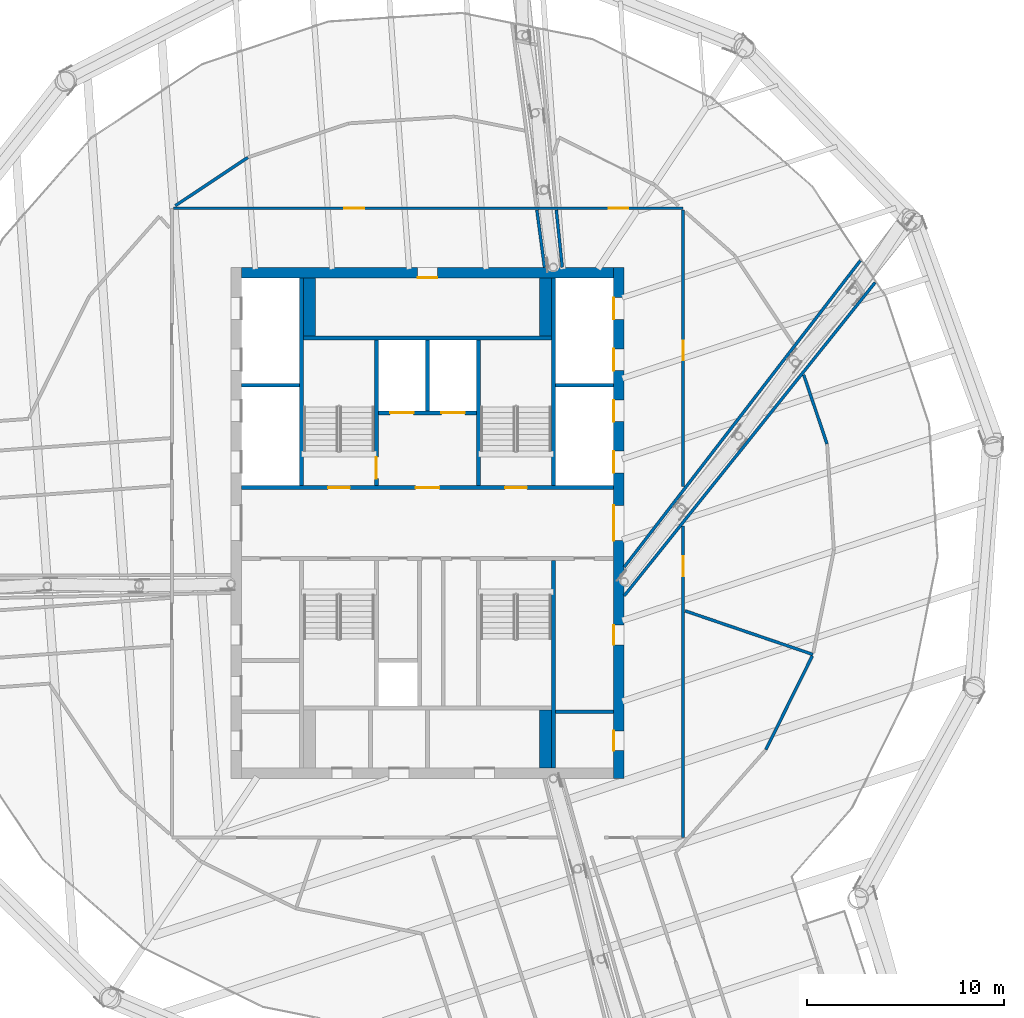
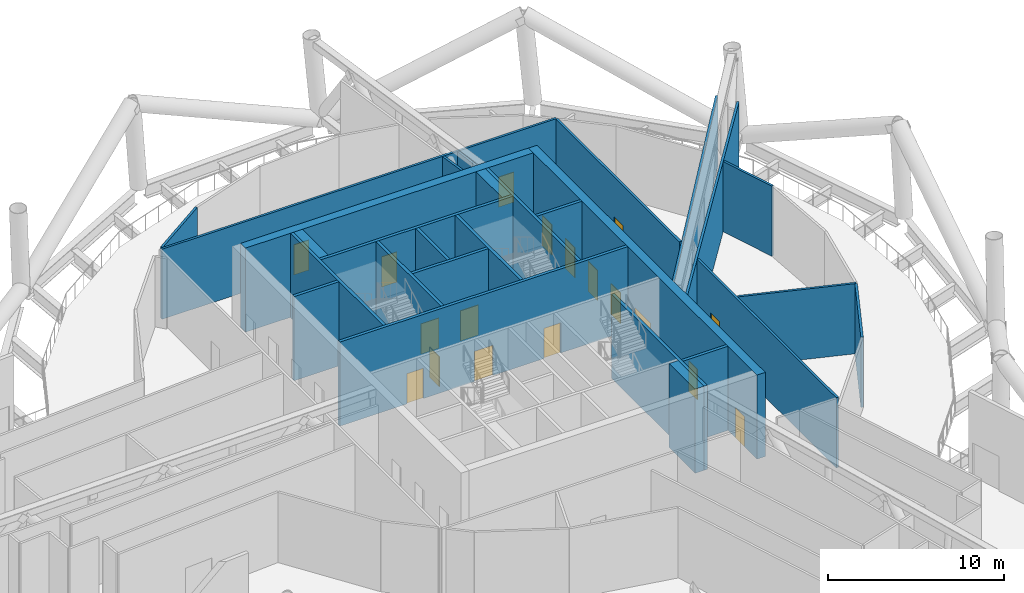
# One storey, part 12 of 33: 28 walls, 18 doors, 18 openings.
"""IFC4 building model written with IfcOpenShell, lengths in metres."""

import ifcopenshell
import ifcopenshell.guid

model = None  # the IFC model being written
_history = None  # IfcOwnerHistory: only IFC2X3 demands one
_inside = {}  # id of a spatial element -> (the spatial element, [elements in it])
_under = {}  # id of a project, library or spatial element -> (it, [spatial elements below it])
_declared = {}  # id of a project -> (the project, [libraries it declares])
_typed = {}  # id of a type object -> (the type object, [elements of that type])
_made_of = {}  # id of a material, layer set ... -> (it, [elements and type objects made of it])


def new_model(schema):
    """Start an empty IFC model of exactly this schema.

    Asked for "IFC4X3", IfcOpenShell would pick the latest addendum, in which some entities
    have other attributes; the version numbers below select the first issue.
    IFC2X3 requires an IfcOwnerHistory on every rooted entity: one is made here for all.
    """
    global model, _history
    if schema == "IFC4X3":
        model = ifcopenshell.file(schema_version=(4, 3, 0, 0))
    else:
        model = ifcopenshell.file(schema=schema)
    _inside.clear()
    _under.clear()
    _declared.clear()
    _typed.clear()
    _made_of.clear()
    _history = None
    if model.schema == "IFC2X3":
        org = make("IfcOrganization", Name="unknown")
        user = make(
            "IfcPersonAndOrganization",
            ThePerson=make("IfcPerson", FamilyName="unknown"),
            TheOrganization=org,
        )
        app = make(
            "IfcApplication",
            ApplicationDeveloper=org,
            Version="unknown",
            ApplicationFullName="unknown",
            ApplicationIdentifier="unknown",
        )
        _history = make(
            "IfcOwnerHistory",
            OwningUser=user,
            OwningApplication=app,
            ChangeAction="ADDED",
            CreationDate=0,
        )
    return model


def make(cls, **values):
    """One entity of the class cls with the attributes given. An attribute that is None is left unset."""
    return model.create_entity(
        cls, **{name: value for name, value in values.items() if value is not None}
    )


def rooted(cls, **values):
    """An entity with a GlobalId (a new one), such as an element, a storey or a relation."""
    return make(cls, GlobalId=ifcopenshell.guid.new(), OwnerHistory=_history, **values)


def si_unit(unit_type, name, prefix=None):
    """IfcSIUnit, for example si_unit("LENGTHUNIT", "METRE", prefix="MILLI")."""
    return make("IfcSIUnit", UnitType=unit_type, Prefix=prefix, Name=name)


def assignment(units):
    """IfcUnitAssignment: the units of a project."""
    return None if units is None else make("IfcUnitAssignment", Units=units)


def point(xyz):
    """IfcCartesianPoint."""
    return None if xyz is None else make("IfcCartesianPoint", Coordinates=xyz)


def direction(xyz):
    """IfcDirection."""
    return None if xyz is None else make("IfcDirection", DirectionRatios=xyz)


def frame(location, z_axis=None, x_axis=None):
    """IfcAxis2Placement3D, a coordinate frame: its origin and axes. An axis left out is left unset."""
    return make(
        "IfcAxis2Placement3D",
        Location=point(location),
        Axis=direction(z_axis),
        RefDirection=direction(x_axis),
    )


def frame_2d(location, x_axis=None):
    """IfcAxis2Placement2D, a coordinate frame in the plane: its origin and x axis."""
    return make(
        "IfcAxis2Placement2D", Location=point(location), RefDirection=direction(x_axis)
    )


def origin():
    """The frame at (0, 0, 0) with its axes left unset."""
    return frame((0.0, 0.0, 0.0))


def place(relative_to, where):
    """IfcLocalPlacement: puts the frame where relative to a parent placement (None: the world)."""
    return make(
        "IfcLocalPlacement", PlacementRelTo=relative_to, RelativePlacement=where
    )


def context(
    kind, dimensions, precision=None, world=None, true_north=None, identifier=None
):
    """IfcGeometricRepresentationContext, for example the 3D "Model" context."""
    return make(
        "IfcGeometricRepresentationContext",
        ContextIdentifier=identifier,
        ContextType=kind,
        CoordinateSpaceDimension=dimensions,
        Precision=precision,
        WorldCoordinateSystem=world,
        TrueNorth=true_north,
    )


def subcontext(parent, identifier, kind, view, scale=None):
    """IfcGeometricRepresentationSubContext, for example "Body" below "Model"."""
    return make(
        "IfcGeometricRepresentationSubContext",
        ContextIdentifier=identifier,
        ContextType=kind,
        ParentContext=parent,
        TargetScale=scale,
        TargetView=view,
    )


def project(units=None, contexts=None):
    """IfcProject with its units and contexts."""
    return rooted(
        "IfcProject",
        Name="project",
        RepresentationContexts=contexts,
        UnitsInContext=assignment(units),
    )


def spatial(cls, under=None, at=None, **own):
    """A site, building, storey or space (cls), placed at a placement, below another one or the project."""
    s = rooted(cls, ObjectPlacement=at, **own)
    if under is not None:
        _under.setdefault(under.id(), (under, []))[1].append(s)
    return s


def profile(cls, at=None, kind="AREA", **sizes):
    """A parametric profile (cls). Its sizes go by their IFC names, for example OverallWidth=200.0."""
    return make(cls, ProfileType=kind, Position=at, **sizes)


def rectangle(**sizes):
    """IfcRectangleProfileDef."""
    return profile("IfcRectangleProfileDef", **sizes)


def extrude(swept, where, along, depth):
    """IfcExtrudedAreaSolid: the profile swept, set in the frame where, extruded along a direction by depth."""
    return make(
        "IfcExtrudedAreaSolid",
        SweptArea=swept,
        Position=where,
        ExtrudedDirection=direction(along),
        Depth=depth,
    )


def shape(context_of_items, identifier, shape_type, items):
    """IfcShapeRepresentation: the items that make up one representation, for example the "Body"."""
    return make(
        "IfcShapeRepresentation",
        ContextOfItems=context_of_items,
        RepresentationIdentifier=identifier,
        RepresentationType=shape_type,
        Items=items,
    )


def material(Name=None, Category=None):
    """IfcMaterial."""
    return make("IfcMaterial", Name=Name, Category=Category)


def layer(
    of_material, thickness, ventilated=None, Name=None, Category=None, Priority=None
):
    """IfcMaterialLayer: one layer of a wall or slab, of a material (None: an air gap)."""
    return make(
        "IfcMaterialLayer",
        Material=of_material,
        LayerThickness=thickness,
        IsVentilated=ventilated,
        Name=Name,
        Category=Category,
        Priority=Priority,
    )


def layer_set(layers, Name=None):
    """IfcMaterialLayerSet."""
    return make("IfcMaterialLayerSet", MaterialLayers=layers, LayerSetName=Name)


def made_of(thing, what):
    """Note that an element or type object is made of a material, layer set ...; save() writes the relation."""
    if what is not None:
        _made_of.setdefault(what.id(), (what, []))[1].append(thing)
    return thing


def type_object(cls, material=None, **own):
    """A type object (cls), such as IfcWallType, which elements share."""
    return made_of(rooted(cls, **own), material)


def element(
    cls,
    number,
    at=None,
    inside=None,
    cuts=None,
    type_object=None,
    material=None,
    context=None,
    identifier="Body",
    shape_type=None,
    held_by="IfcProductDefinitionShape",
    body=None,
    shapes=None,
    **own,
):
    """One element of the class cls, such as IfcWall. Its Tag is "e" and its number.

    at: its placement. inside: the storey or other place that contains it. cuts: it is an
    opening in that element (IfcRelVoidsElement). A single representation is given by context,
    identifier, shape_type and body (its items); several are given by shapes. held_by: the class
    of the entity that holds the representations. save() writes the other relations.
    """
    e = rooted(cls, Tag="e%d" % number, ObjectPlacement=at, **own)
    if body is not None:
        shapes = [shape(context, identifier, shape_type, body)]
    if shapes is not None:
        e.Representation = make(held_by, Representations=shapes)
    if inside is not None:
        _inside.setdefault(inside.id(), (inside, []))[1].append(e)
    if cuts is not None:
        rooted(
            "IfcRelVoidsElement", RelatingBuildingElement=cuts, RelatedOpeningElement=e
        )
    if type_object is not None:
        _typed.setdefault(type_object.id(), (type_object, []))[1].append(e)
    return made_of(e, material)


def fill(opening, filler):
    """IfcRelFillsElement: the door or window that sits in an opening."""
    return rooted(
        "IfcRelFillsElement",
        RelatingOpeningElement=opening,
        RelatedBuildingElement=filler,
    )


def aggregate(whole, parts):
    """IfcRelAggregates: a whole, such as a stair, and the parts it consists of."""
    return rooted("IfcRelAggregates", RelatingObject=whole, RelatedObjects=parts)


def save(model, path):
    """Write the relations noted so far, then the file.

    IfcRelAggregates (storeys below a building ...), IfcRelContainedInSpatialStructure (elements
    in a storey), IfcRelDefinesByType, IfcRelAssociatesMaterial and IfcRelDeclares: one each for
    every whole, place, type object, material and project.
    """
    for whole, parts in _under.values():
        aggregate(whole, parts)
    for where, things in _inside.values():
        rooted(
            "IfcRelContainedInSpatialStructure",
            RelatedElements=things,
            RelatingStructure=where,
        )
    for kind, things in _typed.values():
        rooted("IfcRelDefinesByType", RelatedObjects=things, RelatingType=kind)
    for what, things in _made_of.values():
        rooted("IfcRelAssociatesMaterial", RelatedObjects=things, RelatingMaterial=what)
    for by, libraries in _declared.values():
        rooted("IfcRelDeclares", RelatingContext=by, RelatedDefinitions=libraries)
    model.write(path)


model = new_model("IFC4")

# Units and contexts
model_context = context("Model", 3, precision=1e-05, world=origin(), true_north=direction((0.0, 1.0)))
body_context = subcontext(model_context, "Body", "Model", "MODEL_VIEW")
ifc_project = project(units=[si_unit("LENGTHUNIT", "METRE"), si_unit("AREAUNIT", "SQUARE_METRE"), si_unit("VOLUMEUNIT", "CUBIC_METRE"), si_unit("PLANEANGLEUNIT", "RADIAN"), si_unit("MASSUNIT", "GRAM", prefix="KILO")], contexts=[model_context])

# Site, building, storey
site_placement = place(None, origin())
site = spatial("IfcSite", under=ifc_project, at=site_placement, CompositionType="ELEMENT")
building_placement = place(site_placement, origin())
building = spatial("IfcBuilding", under=site, at=building_placement, Name="Tarsis Ring Headquarters", CompositionType="ELEMENT")
storey_placement = place(building_placement, frame((0.0, 0.0, 302.0)))
storey = spatial("IfcBuildingStorey", under=building, at=storey_placement, Name="L71", CompositionType="ELEMENT", Elevation=302.0)

# Wall
ifc_material_1 = material(Name="Blockwork", Category="masonry")
ifc_layer_1 = layer(ifc_material_1, 0.199951171875)
ifc_layer_set_1 = layer_set([ifc_layer_1], Name="Core blockwork wall 200")
wall_type_1 = type_object("IfcWallType", Name="Core blockwork wall 200", PredefinedType="PARTITIONING", material=ifc_layer_set_1)
wall_1_placement = place(storey_placement, frame((6.5, -9.60009765625, 0.0), z_axis=(0.0, 0.0, 1.0), x_axis=(1.0, 0.0, 0.0)))
element("IfcWall", 1, at=wall_1_placement, inside=storey, type_object=wall_type_1, Name="Core partition ED1", PredefinedType="PARTITIONING", context=body_context, shape_type="SweptSolid", body=[
    extrude(rectangle(XDim=2.949951171875, YDim=0.199951171875, at=frame_2d((1.47509765625, 0.0))), origin(), (0.0, 0.0, 1.0), 5.840087890625),
])

# Wall, openings, doors
ifc_material_2 = material(Name="Concrete C50/60", Category="concrete")
ifc_layer_2 = layer(ifc_material_2, 0.550048828125)
ifc_layer_set_2 = layer_set([ifc_layer_2], Name="Core wall 550 C50/60")
wall_type_2 = type_object("IfcWallType", Name="Core wall 550 C50/60", PredefinedType="SHEAR", material=ifc_layer_set_2)
wall_2_placement = place(storey_placement, frame((9.72509765625, -13.0, 0.0), z_axis=(0.0, 0.0, 1.0), x_axis=(0.0, 1.0, 0.0)))
wall_2 = element("IfcWall", 2, at=wall_2_placement, inside=storey, type_object=wall_type_2, Name="Core wall OE", PredefinedType="SHEAR", context=body_context, shape_type="SweptSolid", body=[
    extrude(rectangle(XDim=26.0, YDim=0.550048828125, at=frame_2d((13.0, 0.0))), origin(), (0.0, 0.0, 1.0), 5.840087890625),
])
opening_1_placement = place(wall_2_placement, frame((1.425048828125, 0.0, 0.0)))
opening_1 = element("IfcOpeningElement", 3, at=opening_1_placement, cuts=wall_2, Name="Opening L71-C09", PredefinedType="OPENING", context=body_context, shape_type="SweptSolid", body=[
    extrude(rectangle(XDim=1.0, YDim=2.10009765625, at=frame_2d((0.5, 1.050048828125))), frame((0.0, 0.284912109375, 0.0), z_axis=(0.0, -1.0, 0.0), x_axis=(1.0, 0.0, 0.0)), (0.0, 0.0, 1.0), 0.570068359375),
])
opening_2_placement = place(wall_2_placement, frame((6.800048828125, 0.0, 0.0)))
opening_2 = element("IfcOpeningElement", 4, at=opening_2_placement, cuts=wall_2, Name="Opening L71-C10", PredefinedType="OPENING", context=body_context, shape_type="SweptSolid", body=[
    extrude(rectangle(XDim=1.0, YDim=2.10009765625, at=frame_2d((0.5, 1.050048828125))), frame((0.0, 0.284912109375, 0.0), z_axis=(0.0, -1.0, 0.0), x_axis=(1.0, 0.0, 0.0)), (0.0, 0.0, 1.0), 0.570068359375),
])
opening_3_placement = place(wall_2_placement, frame((12.10009765625, 0.0, 0.0)))
opening_3 = element("IfcOpeningElement", 5, at=opening_3_placement, cuts=wall_2, Name="Opening L71-C11", PredefinedType="OPENING", context=body_context, shape_type="SweptSolid", body=[
    extrude(rectangle(XDim=1.800048828125, YDim=2.10009765625, at=frame_2d((0.89990234375, 1.050048828125))), frame((0.0, 0.284912109375, 0.0), z_axis=(0.0, -1.0, 0.0), x_axis=(1.0, 0.0, 0.0)), (0.0, 0.0, 1.0), 0.570068359375),
])
opening_4_placement = place(wall_2_placement, frame((15.550048828125, 0.0, 0.0)))
opening_4 = element("IfcOpeningElement", 6, at=opening_4_placement, cuts=wall_2, Name="Opening LD-HR5", PredefinedType="OPENING", context=body_context, shape_type="SweptSolid", body=[
    extrude(rectangle(XDim=1.10009765625, YDim=2.10009765625, at=frame_2d((0.550048828125, 1.050048828125))), frame((0.0, 0.284912109375, 0.0), z_axis=(0.0, -1.0, 0.0), x_axis=(1.0, 0.0, 0.0)), (0.0, 0.0, 1.0), 0.570068359375),
])
opening_5_placement = place(wall_2_placement, frame((18.14990234375, 0.0, 0.0)))
opening_5 = element("IfcOpeningElement", 7, at=opening_5_placement, cuts=wall_2, Name="Opening LD-HR6", PredefinedType="OPENING", context=body_context, shape_type="SweptSolid", body=[
    extrude(rectangle(XDim=1.10009765625, YDim=2.10009765625, at=frame_2d((0.550048828125, 1.050048828125))), frame((0.0, 0.284912109375, 0.0), z_axis=(0.0, -1.0, 0.0), x_axis=(1.0, 0.0, 0.0)), (0.0, 0.0, 1.0), 0.570068359375),
])
opening_6_placement = place(wall_2_placement, frame((20.75, 0.0, 0.0)))
opening_6 = element("IfcOpeningElement", 8, at=opening_6_placement, cuts=wall_2, Name="Opening LD-HR7", PredefinedType="OPENING", context=body_context, shape_type="SweptSolid", body=[
    extrude(rectangle(XDim=1.10009765625, YDim=2.10009765625, at=frame_2d((0.550048828125, 1.050048828125))), frame((0.0, 0.284912109375, 0.0), z_axis=(0.0, -1.0, 0.0), x_axis=(1.0, 0.0, 0.0)), (0.0, 0.0, 1.0), 0.570068359375),
])
opening_7_placement = place(wall_2_placement, frame((23.35009765625, 0.0, 0.0)))
opening_7 = element("IfcOpeningElement", 9, at=opening_7_placement, cuts=wall_2, Name="Opening LD-HR8", PredefinedType="OPENING", context=body_context, shape_type="SweptSolid", body=[
    extrude(rectangle(XDim=1.10009765625, YDim=2.10009765625, at=frame_2d((0.550048828125, 1.050048828125))), frame((0.0, 0.284912109375, 0.0), z_axis=(0.0, -1.0, 0.0), x_axis=(1.0, 0.0, 0.0)), (0.0, 0.0, 1.0), 0.570068359375),
])
ifc_material_3 = material(Name="Steel S355", Category="steel")
door_type_1 = type_object("IfcDoorType", Name="Core entry door 1800x2100", OperationType="DOUBLE_DOOR_SINGLE_SWING", PredefinedType="DOOR", material=ifc_material_3)
door_1_placement = place(opening_3_placement, origin())
door_1 = element("IfcDoor", 10, at=door_1_placement, inside=storey, type_object=door_type_1, Name="Core entry door L71", OperationType="DOUBLE_DOOR_SINGLE_SWING", OverallHeight=2.10009765625, OverallWidth=1.800048828125, PredefinedType="DOOR", context=body_context, shape_type="SweptSolid", body=[
    extrude(rectangle(XDim=1.800048828125, YDim=2.10009765625, at=frame_2d((0.89990234375, 1.050048828125))), frame((0.0, 0.27490234375, 0.0), z_axis=(0.0, -1.0, 0.0), x_axis=(1.0, 0.0, 0.0)), (0.0, 0.0, 1.0), 0.050048828125),
])
fill(opening_3, door_1)
door_type_2 = type_object("IfcDoorType", Name="Core room door 1000x2100", OperationType="SINGLE_SWING_LEFT", PredefinedType="DOOR", material=ifc_material_3)
door_2_placement = place(opening_1_placement, origin())
door_2 = element("IfcDoor", 11, at=door_2_placement, inside=storey, type_object=door_type_2, Name="Core room door L71", OperationType="SINGLE_SWING_LEFT", OverallHeight=2.10009765625, OverallWidth=1.0, PredefinedType="DOOR", context=body_context, shape_type="SweptSolid", body=[
    extrude(rectangle(XDim=1.0, YDim=2.10009765625, at=frame_2d((0.5, 1.050048828125))), frame((0.0, 0.27490234375, 0.0), z_axis=(0.0, -1.0, 0.0), x_axis=(1.0, 0.0, 0.0)), (0.0, 0.0, 1.0), 0.050048828125),
])
fill(opening_1, door_2)
door_3_placement = place(opening_2_placement, origin())
door_3 = element("IfcDoor", 12, at=door_3_placement, inside=storey, type_object=door_type_2, Name="Core room door L71", OperationType="SINGLE_SWING_LEFT", OverallHeight=2.10009765625, OverallWidth=1.0, PredefinedType="DOOR", context=body_context, shape_type="SweptSolid", body=[
    extrude(rectangle(XDim=1.0, YDim=2.10009765625, at=frame_2d((0.5, 1.050048828125))), frame((0.0, 0.27490234375, 0.0), z_axis=(0.0, -1.0, 0.0), x_axis=(1.0, 0.0, 0.0)), (0.0, 0.0, 1.0), 0.050048828125),
])
fill(opening_2, door_3)
door_type_3 = type_object("IfcDoorType", Name="Landing door 1100x2100", OperationType="SLIDING_TO_LEFT", PredefinedType="DOOR", material=ifc_material_3)
door_4_placement = place(opening_4_placement, origin())
door_4 = element("IfcDoor", 13, at=door_4_placement, inside=storey, type_object=door_type_3, Name="Landing door HR5 L71", OperationType="SLIDING_TO_LEFT", OverallHeight=2.10009765625, OverallWidth=1.10009765625, PredefinedType="DOOR", context=body_context, shape_type="SweptSolid", body=[
    extrude(rectangle(XDim=1.10009765625, YDim=2.10009765625, at=frame_2d((0.550048828125, 1.050048828125))), frame((0.0, 0.27490234375, 0.0), z_axis=(0.0, -1.0, 0.0), x_axis=(1.0, 0.0, 0.0)), (0.0, 0.0, 1.0), 0.050048828125),
])
fill(opening_4, door_4)
door_5_placement = place(opening_5_placement, origin())
door_5 = element("IfcDoor", 14, at=door_5_placement, inside=storey, type_object=door_type_3, Name="Landing door HR6 L71", OperationType="SLIDING_TO_LEFT", OverallHeight=2.10009765625, OverallWidth=1.10009765625, PredefinedType="DOOR", context=body_context, shape_type="SweptSolid", body=[
    extrude(rectangle(XDim=1.10009765625, YDim=2.10009765625, at=frame_2d((0.550048828125, 1.050048828125))), frame((0.0, 0.27490234375, 0.0), z_axis=(0.0, -1.0, 0.0), x_axis=(1.0, 0.0, 0.0)), (0.0, 0.0, 1.0), 0.050048828125),
])
fill(opening_5, door_5)
door_6_placement = place(opening_6_placement, origin())
door_6 = element("IfcDoor", 15, at=door_6_placement, inside=storey, type_object=door_type_3, Name="Landing door HR7 L71", OperationType="SLIDING_TO_LEFT", OverallHeight=2.10009765625, OverallWidth=1.10009765625, PredefinedType="DOOR", context=body_context, shape_type="SweptSolid", body=[
    extrude(rectangle(XDim=1.10009765625, YDim=2.10009765625, at=frame_2d((0.550048828125, 1.050048828125))), frame((0.0, 0.27490234375, 0.0), z_axis=(0.0, -1.0, 0.0), x_axis=(1.0, 0.0, 0.0)), (0.0, 0.0, 1.0), 0.050048828125),
])
fill(opening_6, door_6)
door_7_placement = place(opening_7_placement, origin())
door_7 = element("IfcDoor", 16, at=door_7_placement, inside=storey, type_object=door_type_3, Name="Landing door HR8 L71", OperationType="SLIDING_TO_LEFT", OverallHeight=2.10009765625, OverallWidth=1.10009765625, PredefinedType="DOOR", context=body_context, shape_type="SweptSolid", body=[
    extrude(rectangle(XDim=1.10009765625, YDim=2.10009765625, at=frame_2d((0.550048828125, 1.050048828125))), frame((0.0, 0.27490234375, 0.0), z_axis=(0.0, -1.0, 0.0), x_axis=(1.0, 0.0, 0.0)), (0.0, 0.0, 1.0), 0.050048828125),
])
fill(opening_7, door_7)

# Wall, opening, door
wall_3_placement = place(storey_placement, frame((-9.449951171875, 12.72509765625, 0.0), z_axis=(0.0, 0.0, 1.0), x_axis=(1.0, 0.0, 0.0)))
wall_3 = element("IfcWall", 17, at=wall_3_placement, inside=storey, type_object=wall_type_2, Name="Core wall ON", PredefinedType="SHEAR", context=body_context, shape_type="SweptSolid", body=[
    extrude(rectangle(XDim=18.89990234375, YDim=0.550048828125, at=frame_2d((9.449951171875, 0.0))), origin(), (0.0, 0.0, 1.0), 5.840087890625),
])
opening_8_placement = place(wall_3_placement, frame((8.949951171875, 0.0, 0.0)))
opening_8 = element("IfcOpeningElement", 18, at=opening_8_placement, cuts=wall_3, Name="Opening L71-C16", PredefinedType="OPENING", context=body_context, shape_type="SweptSolid", body=[
    extrude(rectangle(XDim=1.0, YDim=2.10009765625, at=frame_2d((0.5, 1.050048828125))), frame((0.0, 0.284912109375, 0.0), z_axis=(0.0, -1.0, 0.0), x_axis=(1.0, 0.0, 0.0)), (0.0, 0.0, 1.0), 0.570068359375),
])
door_8_placement = place(opening_8_placement, origin())
door_8 = element("IfcDoor", 19, at=door_8_placement, inside=storey, type_object=door_type_2, Name="Core room door L71", OperationType="SINGLE_SWING_LEFT", OverallHeight=2.10009765625, OverallWidth=1.0, PredefinedType="DOOR", context=body_context, shape_type="SweptSolid", body=[
    extrude(rectangle(XDim=1.0, YDim=2.10009765625, at=frame_2d((0.5, 1.050048828125))), frame((0.0, -0.22509765625, 0.0), z_axis=(0.0, -1.0, 0.0), x_axis=(1.0, 0.0, 0.0)), (0.0, 0.0, 1.0), 0.050048828125),
])
fill(opening_8, door_8)

# Wall, openings, doors
ifc_material_4 = material(Name="Gypsum board on steel studs", Category="steel")
ifc_layer_3 = layer(ifc_material_4, 0.14990234375)
ifc_layer_set_3 = layer_set([ifc_layer_3], Name="FL partition 150 EI 120 H4870")
wall_type_3 = type_object("IfcWallType", Name="FL partition 150 EI 120 H4870", PredefinedType="PARTITIONING", material=ifc_layer_set_3)
wall_4_placement = place(storey_placement, frame((-12.9189453125, 16.0, 0.0), z_axis=(0.0, 0.0, 1.0), x_axis=(1.0, 0.0, 0.0)))
wall_4 = element("IfcWall", 20, at=wall_4_placement, inside=storey, type_object=wall_type_3, Name="Partition PW2H487", PredefinedType="PARTITIONING", context=body_context, shape_type="SweptSolid", body=[
    extrude(rectangle(XDim=25.916748046875, YDim=0.14990234375, at=frame_2d((12.95849609375, 0.0))), origin(), (0.0, 0.0, 1.0), 4.8701171875),
])
opening_9_placement = place(wall_4_placement, frame((8.693115234375, 0.0, 0.0)))
opening_9 = element("IfcOpeningElement", 21, at=opening_9_placement, cuts=wall_4, Name="Opening D71.02", PredefinedType="OPENING", context=body_context, shape_type="SweptSolid", body=[
    extrude(rectangle(XDim=1.0, YDim=2.10009765625, at=frame_2d((0.5, 1.050048828125))), frame((0.0, 0.0849609375, 0.0), z_axis=(0.0, -1.0, 0.0), x_axis=(1.0, 0.0, 0.0)), (0.0, 0.0, 1.0), 0.169921875),
])
opening_10_placement = place(wall_4_placement, frame((22.134521484375, 0.0, 0.0)))
opening_10 = element("IfcOpeningElement", 22, at=opening_10_placement, cuts=wall_4, Name="Opening D71.03", PredefinedType="OPENING", context=body_context, shape_type="SweptSolid", body=[
    extrude(rectangle(XDim=1.0, YDim=2.10009765625, at=frame_2d((0.5, 1.050048828125))), frame((0.0, 0.0849609375, 0.0), z_axis=(0.0, -1.0, 0.0), x_axis=(1.0, 0.0, 0.0)), (0.0, 0.0, 1.0), 0.169921875),
])
ifc_material_5 = material(Name="Fire-rated timber door leaf in steel frame", Category="steel")
door_type_4 = type_object("IfcDoorType", Name="FL door FD120-1000", OperationType="NOTDEFINED", PredefinedType="DOOR", material=ifc_material_5)
door_9_placement = place(opening_9_placement, origin())
door_9 = element("IfcDoor", 23, at=door_9_placement, inside=storey, type_object=door_type_4, Name="Door D71.02", OperationType="SINGLE_SWING_LEFT", OverallHeight=2.10009765625, OverallWidth=1.0, PredefinedType="DOOR", context=body_context, shape_type="SweptSolid", body=[
    extrude(rectangle(XDim=1.0, YDim=2.10009765625, at=frame_2d((0.5, 1.050048828125))), frame((0.0, 0.02490234375, 0.0), z_axis=(0.0, -1.0, 0.0), x_axis=(1.0, 0.0, 0.0)), (0.0, 0.0, 1.0), 0.050048828125),
])
fill(opening_9, door_9)
door_10_placement = place(opening_10_placement, origin())
door_10 = element("IfcDoor", 24, at=door_10_placement, inside=storey, type_object=door_type_4, Name="Door D71.03", OperationType="SINGLE_SWING_RIGHT", OverallHeight=2.10009765625, OverallWidth=1.0, PredefinedType="DOOR", context=body_context, shape_type="SweptSolid", body=[
    extrude(rectangle(XDim=1.0, YDim=2.10009765625, at=frame_2d((0.5, 1.050048828125))), frame((0.0, 0.02490234375, 0.0), z_axis=(0.0, -1.0, 0.0), x_axis=(1.0, 0.0, 0.0)), (0.0, 0.0, 1.0), 0.050048828125),
])
fill(opening_10, door_10)

# Walls
wall_5_placement = place(storey_placement, frame((9.9990234375, -3.7041015625, 0.0), z_axis=(0.0, 0.0, 1.0), x_axis=(0.625128229985, 0.780522066361, 0.0)))
element("IfcWall", 25, at=wall_5_placement, inside=storey, type_object=wall_type_3, Name="Partition PW2H487", PredefinedType="PARTITIONING", context=body_context, shape_type="SweptSolid", body=[
    extrude(rectangle(XDim=20.40869140625, YDim=0.14990234375, at=frame_2d((10.204345703125, 0.0))), origin(), (0.0, 0.0, 1.0), 4.8701171875),
])
wall_6_placement = place(storey_placement, frame((9.99755859375, -2.245849609375, 0.0), z_axis=(0.0, 0.0, 1.0), x_axis=(0.610384972168, 0.792104908299, 0.0)))
element("IfcWall", 26, at=wall_6_placement, inside=storey, type_object=wall_type_3, Name="Partition PW2H487", PredefinedType="PARTITIONING", context=body_context, shape_type="SweptSolid", body=[
    extrude(rectangle(XDim=19.680908203125, YDim=0.14990234375, at=frame_2d((9.84033203125, 0.0))), origin(), (0.0, 0.0, 1.0), 4.8701171875),
])

# Wall, opening, door
wall_7_placement = place(storey_placement, frame((13.0, -16.0, 0.0), z_axis=(0.0, 0.0, 1.0), x_axis=(0.0, 1.0, 0.0)))
wall_7 = element("IfcWall", 27, at=wall_7_placement, inside=storey, type_object=wall_type_3, Name="Partition PW2H487", PredefinedType="PARTITIONING", context=body_context, shape_type="SweptSolid", body=[
    extrude(rectangle(XDim=15.85107421875, YDim=0.14990234375, at=frame_2d((7.925537109375, 0.0))), origin(), (0.0, 0.0, 1.0), 4.8701171875),
])
opening_11_placement = place(wall_7_placement, frame((13.302734375, 0.0, 0.0)))
opening_11 = element("IfcOpeningElement", 28, at=opening_11_placement, cuts=wall_7, Name="Opening D71.07", PredefinedType="OPENING", context=body_context, shape_type="SweptSolid", body=[
    extrude(rectangle(XDim=1.0, YDim=2.10009765625, at=frame_2d((0.5, 1.050048828125))), frame((0.0, 0.0849609375, 0.0), z_axis=(0.0, -1.0, 0.0), x_axis=(1.0, 0.0, 0.0)), (0.0, 0.0, 1.0), 0.169921875),
])
door_11_placement = place(opening_11_placement, origin())
door_11 = element("IfcDoor", 29, at=door_11_placement, inside=storey, type_object=door_type_4, Name="Door D71.07", OperationType="SINGLE_SWING_RIGHT", OverallHeight=2.10009765625, OverallWidth=1.0, PredefinedType="DOOR", context=body_context, shape_type="SweptSolid", body=[
    extrude(rectangle(XDim=1.0, YDim=2.10009765625, at=frame_2d((0.5, 1.050048828125))), frame((0.0, 0.02490234375, 0.0), z_axis=(0.0, -1.0, 0.0), x_axis=(1.0, 0.0, 0.0)), (0.0, 0.0, 1.0), 0.050048828125),
])
fill(opening_11, door_11)

wall_8_placement = place(storey_placement, frame((13.0, 1.855712890625, 0.0), z_axis=(0.0, 0.0, 1.0), x_axis=(0.0, 1.0, 0.0)))
wall_8 = element("IfcWall", 30, at=wall_8_placement, inside=storey, type_object=wall_type_3, Name="Partition PW2H487", PredefinedType="PARTITIONING", context=body_context, shape_type="SweptSolid", body=[
    extrude(rectangle(XDim=14.048095703125, YDim=0.14990234375, at=frame_2d((7.02392578125, 0.0))), origin(), (0.0, 0.0, 1.0), 4.8701171875),
])
opening_12_placement = place(wall_8_placement, frame((6.419189453125, 0.0, 0.0)))
opening_12 = element("IfcOpeningElement", 31, at=opening_12_placement, cuts=wall_8, Name="Opening D71.06", PredefinedType="OPENING", context=body_context, shape_type="SweptSolid", body=[
    extrude(rectangle(XDim=1.0, YDim=2.10009765625, at=frame_2d((0.5, 1.050048828125))), frame((0.0, 0.0849609375, 0.0), z_axis=(0.0, -1.0, 0.0), x_axis=(1.0, 0.0, 0.0)), (0.0, 0.0, 1.0), 0.169921875),
])
door_12_placement = place(opening_12_placement, origin())
door_12 = element("IfcDoor", 32, at=door_12_placement, inside=storey, type_object=door_type_4, Name="Door D71.06", OperationType="SINGLE_SWING_LEFT", OverallHeight=2.10009765625, OverallWidth=1.0, PredefinedType="DOOR", context=body_context, shape_type="SweptSolid", body=[
    extrude(rectangle(XDim=1.0, YDim=2.10009765625, at=frame_2d((0.5, 1.050048828125))), frame((0.0, 0.02490234375, 0.0), z_axis=(0.0, -1.0, 0.0), x_axis=(1.0, 0.0, 0.0)), (0.0, 0.0, 1.0), 0.050048828125),
])
fill(opening_12, door_12)

# Walls
wall_9_placement = place(storey_placement, frame((5.560302734375, 15.9150390625, 0.0), z_axis=(0.0, 0.0, 1.0), x_axis=(0.131848279953, -0.991269908286, 0.0)))
element("IfcWall", 33, at=wall_9_placement, inside=storey, type_object=wall_type_3, Name="Partition PW2H487", PredefinedType="PARTITIONING", context=body_context, shape_type="SweptSolid", body=[
    extrude(rectangle(XDim=2.9404296875, YDim=0.14990234375, at=frame_2d((1.47021484375, 0.0))), origin(), (0.0, 0.0, 1.0), 4.8701171875),
])
wall_10_placement = place(storey_placement, frame((6.547607421875, 15.917236328125, 0.0), z_axis=(0.0, 0.0, 1.0), x_axis=(0.103549471479, -0.994624304427, 0.0)))
element("IfcWall", 34, at=wall_10_placement, inside=storey, type_object=wall_type_3, Name="Partition PW2H487", PredefinedType="PARTITIONING", context=body_context, shape_type="SweptSolid", body=[
    extrude(rectangle(XDim=2.93310546875, YDim=0.14990234375, at=frame_2d((1.466552734375, 0.0))), origin(), (0.0, 0.0, 1.0), 4.8701171875),
])
wall_11_placement = place(storey_placement, frame((13.094482421875, -4.468017578125, 0.0), z_axis=(0.0, 0.0, 1.0), x_axis=(0.946431212604, -0.322905496714, 0.0)))
element("IfcWall", 35, at=wall_11_placement, inside=storey, type_object=wall_type_3, Name="Partition PW2H487", PredefinedType="PARTITIONING", context=body_context, shape_type="SweptSolid", body=[
    extrude(rectangle(XDim=6.868896484375, YDim=0.14990234375, at=frame_2d((3.4345703125, 0.0))), origin(), (0.0, 0.0, 1.0), 4.8701171875),
])
wall_12_placement = place(storey_placement, frame((17.203857421875, -11.522216796875, 0.0), z_axis=(0.0, 0.0, 1.0), x_axis=(0.443664075455, 0.89619316453, 0.0)))
element("IfcWall", 36, at=wall_12_placement, inside=storey, type_object=wall_type_3, Name="Partition PW2H487", PredefinedType="PARTITIONING", context=body_context, shape_type="SweptSolid", body=[
    extrude(rectangle(XDim=5.315185546875, YDim=0.14990234375, at=frame_2d((2.65771484375, 0.0))), origin(), (0.0, 0.0, 1.0), 4.8701171875),
])
wall_13_placement = place(storey_placement, frame((-12.821044921875, 16.127685546875, 0.0), z_axis=(0.0, 0.0, 1.0), x_axis=(0.832338778575, 0.554267225876, 0.0)))
element("IfcWall", 37, at=wall_13_placement, inside=storey, type_object=wall_type_3, Name="Partition PW2H487", PredefinedType="PARTITIONING", context=body_context, shape_type="SweptSolid", body=[
    extrude(rectangle(XDim=4.425048828125, YDim=0.14990234375, at=frame_2d((2.21240234375, 0.0))), origin(), (0.0, 0.0, 1.0), 4.8701171875),
])
wall_14_placement = place(storey_placement, frame((19.126953125, 7.52734375, 0.0), z_axis=(0.0, 0.0, 1.0), x_axis=(0.319962047861, -0.947430360464, 0.0)))
element("IfcWall", 38, at=wall_14_placement, inside=storey, type_object=wall_type_3, Name="Partition PW2H487", PredefinedType="PARTITIONING", context=body_context, shape_type="SweptSolid", body=[
    extrude(rectangle(XDim=3.70458984375, YDim=0.14990234375, at=frame_2d((1.852294921875, 0.0))), origin(), (0.0, 0.0, 1.0), 4.8701171875),
])
ifc_material_6 = material(Name="Concrete C32/40", Category="concrete")
ifc_layer_4 = layer(ifc_material_6, 0.60009765625)
ifc_layer_set_4 = layer_set([ifc_layer_4], Name="Shaft end wall 600 C32/40")
wall_type_4 = type_object("IfcWallType", Name="Shaft end wall 600 C32/40", PredefinedType="SOLIDWALL", material=ifc_layer_set_4)
for number, where, z_axis, x_axis, name in (
    (39, (-6.0, 9.5, 0.0), (0.0, 0.0, 1.0), (0.0, 1.0, 0.0), "Core shaft wall NNE1"),
    (40, (6.0, 9.5, 0.0), (0.0, 0.0, 1.0), (0.0, 1.0, 0.0), "Core shaft wall NNE2"),
    (41, (6.0, -12.449951171875, 0.0), (0.0, 0.0, 1.0), (0.0, 1.0, 0.0), "Core shaft wall SNE2"),
):
    element("IfcWall", number, at=place(storey_placement, frame(where, z_axis=z_axis, x_axis=x_axis)), inside=storey, type_object=wall_type_4, Name=name, PredefinedType="SOLIDWALL", context=body_context, shape_type="SweptSolid", body=[
        extrude(rectangle(XDim=2.949951171875, YDim=0.60009765625, at=frame_2d((1.47509765625, 0.0))), origin(), (0.0, 0.0, 1.0), 5.840087890625),
    ])

# Wall, openings, doors
ifc_layer_5 = layer(ifc_material_6, 0.199951171875)
ifc_layer_set_5 = layer_set([ifc_layer_5], Name="Shaft wall 200 C32/40")
wall_type_5 = type_object("IfcWallType", Name="Shaft wall 200 C32/40", PredefinedType="SOLIDWALL", material=ifc_layer_set_5)
wall_15_placement = place(storey_placement, frame((-9.449951171875, 1.800048828125, 0.0), z_axis=(0.0, 0.0, 1.0), x_axis=(1.0, 0.0, 0.0)))
wall_15 = element("IfcWall", 42, at=wall_15_placement, inside=storey, type_object=wall_type_5, Name="Core shaft wall CN", PredefinedType="SOLIDWALL", context=body_context, shape_type="SweptSolid", body=[
    extrude(rectangle(XDim=18.89990234375, YDim=0.199951171875, at=frame_2d((9.449951171875, 0.0))), origin(), (0.0, 0.0, 1.0), 5.840087890625),
])
opening_13_placement = place(wall_15_placement, frame((4.39990234375, 0.0, 0.0)))
opening_13 = element("IfcOpeningElement", 43, at=opening_13_placement, cuts=wall_15, Name="Opening L71-C20", PredefinedType="OPENING", context=body_context, shape_type="SweptSolid", body=[
    extrude(rectangle(XDim=1.10009765625, YDim=2.10009765625, at=frame_2d((0.550048828125, 1.050048828125))), frame((0.0, 0.10986328125, 0.0), z_axis=(0.0, -1.0, 0.0), x_axis=(1.0, 0.0, 0.0)), (0.0, 0.0, 1.0), 0.219970703125),
])
opening_14_placement = place(wall_15_placement, frame((8.85009765625, 0.0, 0.0)))
opening_14 = element("IfcOpeningElement", 44, at=opening_14_placement, cuts=wall_15, Name="Opening L71-C21", PredefinedType="OPENING", context=body_context, shape_type="SweptSolid", body=[
    extrude(rectangle(XDim=1.199951171875, YDim=2.10009765625, at=frame_2d((0.60009765625, 1.050048828125))), frame((0.0, 0.10986328125, 0.0), z_axis=(0.0, -1.0, 0.0), x_axis=(1.0, 0.0, 0.0)), (0.0, 0.0, 1.0), 0.219970703125),
])
opening_15_placement = place(wall_15_placement, frame((13.39990234375, 0.0, 0.0)))
opening_15 = element("IfcOpeningElement", 45, at=opening_15_placement, cuts=wall_15, Name="Opening L71-C22", PredefinedType="OPENING", context=body_context, shape_type="SweptSolid", body=[
    extrude(rectangle(XDim=1.10009765625, YDim=2.10009765625, at=frame_2d((0.550048828125, 1.050048828125))), frame((0.0, 0.10986328125, 0.0), z_axis=(0.0, -1.0, 0.0), x_axis=(1.0, 0.0, 0.0)), (0.0, 0.0, 1.0), 0.219970703125),
])
door_type_5 = type_object("IfcDoorType", Name="Firefighting lobby door 1200x2100", OperationType="DOUBLE_DOOR_SINGLE_SWING", PredefinedType="DOOR", material=ifc_material_3)
door_13_placement = place(opening_14_placement, origin())
door_13 = element("IfcDoor", 46, at=door_13_placement, inside=storey, type_object=door_type_5, Name="Firefighting lobby door L71", OperationType="DOUBLE_DOOR_SINGLE_SWING", OverallHeight=2.10009765625, OverallWidth=1.199951171875, PredefinedType="DOOR", context=body_context, shape_type="SweptSolid", body=[
    extrude(rectangle(XDim=1.199951171875, YDim=2.10009765625, at=frame_2d((0.60009765625, 1.050048828125))), frame((0.0, 0.02490234375, 0.0), z_axis=(0.0, -1.0, 0.0), x_axis=(1.0, 0.0, 0.0)), (0.0, 0.0, 1.0), 0.050048828125),
])
fill(opening_14, door_13)
door_type_6 = type_object("IfcDoorType", Name="Stair door 1100x2100", OperationType="SINGLE_SWING_LEFT", PredefinedType="DOOR", material=ifc_material_3)
door_14_placement = place(opening_13_placement, origin())
door_14 = element("IfcDoor", 47, at=door_14_placement, inside=storey, type_object=door_type_6, Name="Stair door L71", OperationType="SINGLE_SWING_LEFT", OverallHeight=2.10009765625, OverallWidth=1.10009765625, PredefinedType="DOOR", context=body_context, shape_type="SweptSolid", body=[
    extrude(rectangle(XDim=1.10009765625, YDim=2.10009765625, at=frame_2d((0.550048828125, 1.050048828125))), frame((0.0, 0.02490234375, 0.0), z_axis=(0.0, -1.0, 0.0), x_axis=(1.0, 0.0, 0.0)), (0.0, 0.0, 1.0), 0.050048828125),
])
fill(opening_13, door_14)
door_15_placement = place(opening_15_placement, origin())
door_15 = element("IfcDoor", 48, at=door_15_placement, inside=storey, type_object=door_type_6, Name="Stair door L71", OperationType="SINGLE_SWING_LEFT", OverallHeight=2.10009765625, OverallWidth=1.10009765625, PredefinedType="DOOR", context=body_context, shape_type="SweptSolid", body=[
    extrude(rectangle(XDim=1.10009765625, YDim=2.10009765625, at=frame_2d((0.550048828125, 1.050048828125))), frame((0.0, 0.02490234375, 0.0), z_axis=(0.0, -1.0, 0.0), x_axis=(1.0, 0.0, 0.0)), (0.0, 0.0, 1.0), 0.050048828125),
])
fill(opening_15, door_15)

# Walls
for number, where, z_axis, x_axis, name in (
    (49, (-6.39990234375, 1.89990234375, 0.0), (0.0, 0.0, 1.0), (0.0, 1.0, 0.0), "Core shaft wall WB2"),
    (50, (6.39990234375, -12.449951171875, 0.0), (0.0, 0.0, 1.0), (0.0, 1.0, 0.0), "Core shaft wall EB1"),
    (51, (6.39990234375, 1.89990234375, 0.0), (0.0, 0.0, 1.0), (0.0, 1.0, 0.0), "Core shaft wall EB2"),
):
    element("IfcWall", number, at=place(storey_placement, frame(where, z_axis=z_axis, x_axis=x_axis)), inside=storey, type_object=wall_type_5, Name=name, PredefinedType="SOLIDWALL", context=body_context, shape_type="SweptSolid", body=[
        extrude(rectangle(XDim=10.550048828125, YDim=0.199951171875, at=frame_2d((5.27490234375, 0.0))), origin(), (0.0, 0.0, 1.0), 5.840087890625),
    ])
wall_16_placement = place(storey_placement, frame((-6.300048828125, 9.39990234375, 0.0), z_axis=(0.0, 0.0, 1.0), x_axis=(1.0, 0.0, 0.0)))
element("IfcWall", 52, at=wall_16_placement, inside=storey, type_object=wall_type_5, Name="Core shaft wall NB", PredefinedType="SOLIDWALL", context=body_context, shape_type="SweptSolid", body=[
    extrude(rectangle(XDim=12.60009765625, YDim=0.199951171875, at=frame_2d((6.300048828125, 0.0))), origin(), (0.0, 0.0, 1.0), 5.840087890625),
])

# Wall, opening, door
wall_17_placement = place(storey_placement, frame((-2.60009765625, 1.89990234375, 0.0), z_axis=(0.0, 0.0, 1.0), x_axis=(0.0, 1.0, 0.0)))
wall_17 = element("IfcWall", 53, at=wall_17_placement, inside=storey, type_object=wall_type_5, Name="Core shaft wall SW1", PredefinedType="SOLIDWALL", context=body_context, shape_type="SweptSolid", body=[
    extrude(rectangle(XDim=7.400146484375, YDim=0.199951171875, at=frame_2d((3.7001953125, 0.0))), origin(), (0.0, 0.0, 1.0), 5.840087890625),
])
opening_16_placement = place(wall_17_placement, frame((0.35009765625, 0.0, 0.0)))
opening_16 = element("IfcOpeningElement", 54, at=opening_16_placement, cuts=wall_17, Name="Opening L71-C30", PredefinedType="OPENING", context=body_context, shape_type="SweptSolid", body=[
    extrude(rectangle(XDim=1.10009765625, YDim=2.10009765625, at=frame_2d((0.550048828125, 1.050048828125))), frame((0.0, 0.10986328125, 0.0), z_axis=(0.0, -1.0, 0.0), x_axis=(1.0, 0.0, 0.0)), (0.0, 0.0, 1.0), 0.219970703125),
])
door_16_placement = place(opening_16_placement, origin())
door_16 = element("IfcDoor", 55, at=door_16_placement, inside=storey, type_object=door_type_6, Name="Stair door L71", OperationType="SINGLE_SWING_LEFT", OverallHeight=2.10009765625, OverallWidth=1.10009765625, PredefinedType="DOOR", context=body_context, shape_type="SweptSolid", body=[
    extrude(rectangle(XDim=1.10009765625, YDim=2.10009765625, at=frame_2d((0.550048828125, 1.050048828125))), frame((0.0, 0.02490234375, 0.0), z_axis=(0.0, -1.0, 0.0), x_axis=(1.0, 0.0, 0.0)), (0.0, 0.0, 1.0), 0.050048828125),
])
fill(opening_16, door_16)

# Wall
wall_18_placement = place(storey_placement, frame((2.60009765625, 1.89990234375, 0.0), z_axis=(0.0, 0.0, 1.0), x_axis=(0.0, 1.0, 0.0)))
element("IfcWall", 56, at=wall_18_placement, inside=storey, type_object=wall_type_5, Name="Core shaft wall SW2", PredefinedType="SOLIDWALL", context=body_context, shape_type="SweptSolid", body=[
    extrude(rectangle(XDim=7.400146484375, YDim=0.199951171875, at=frame_2d((3.7001953125, 0.0))), origin(), (0.0, 0.0, 1.0), 5.840087890625),
])

# Wall, openings, doors
wall_19_placement = place(storey_placement, frame((-2.5, 5.60009765625, 0.0), z_axis=(0.0, 0.0, 1.0), x_axis=(1.0, 0.0, 0.0)))
wall_19 = element("IfcWall", 57, at=wall_19_placement, inside=storey, type_object=wall_type_5, Name="Core shaft wall FFN", PredefinedType="SOLIDWALL", context=body_context, shape_type="SweptSolid", body=[
    extrude(rectangle(XDim=5.0, YDim=0.199951171875, at=frame_2d((2.5, 0.0))), origin(), (0.0, 0.0, 1.0), 5.840087890625),
])
opening_17_placement = place(wall_19_placement, frame((0.60009765625, 0.0, 0.0)))
opening_17 = element("IfcOpeningElement", 58, at=opening_17_placement, cuts=wall_19, Name="Opening LDF-1", PredefinedType="OPENING", context=body_context, shape_type="SweptSolid", body=[
    extrude(rectangle(XDim=1.199951171875, YDim=2.10009765625, at=frame_2d((0.60009765625, 1.050048828125))), frame((0.0, 0.10986328125, 0.0), z_axis=(0.0, -1.0, 0.0), x_axis=(1.0, 0.0, 0.0)), (0.0, 0.0, 1.0), 0.219970703125),
])
opening_18_placement = place(wall_19_placement, frame((3.199951171875, 0.0, 0.0)))
opening_18 = element("IfcOpeningElement", 59, at=opening_18_placement, cuts=wall_19, Name="Opening LDF-2", PredefinedType="OPENING", context=body_context, shape_type="SweptSolid", body=[
    extrude(rectangle(XDim=1.199951171875, YDim=2.10009765625, at=frame_2d((0.60009765625, 1.050048828125))), frame((0.0, 0.10986328125, 0.0), z_axis=(0.0, -1.0, 0.0), x_axis=(1.0, 0.0, 0.0)), (0.0, 0.0, 1.0), 0.219970703125),
])
door_type_7 = type_object("IfcDoorType", Name="Firefighting landing door 1200x2100", OperationType="SLIDING_TO_LEFT", PredefinedType="DOOR", material=ifc_material_3)
door_17_placement = place(opening_17_placement, origin())
door_17 = element("IfcDoor", 60, at=door_17_placement, inside=storey, type_object=door_type_7, Name="Landing door FF1 L71", OperationType="SLIDING_TO_LEFT", OverallHeight=2.10009765625, OverallWidth=1.199951171875, PredefinedType="DOOR", context=body_context, shape_type="SweptSolid", body=[
    extrude(rectangle(XDim=1.199951171875, YDim=2.10009765625, at=frame_2d((0.60009765625, 1.050048828125))), frame((0.0, 0.02490234375, 0.0), z_axis=(0.0, -1.0, 0.0), x_axis=(1.0, 0.0, 0.0)), (0.0, 0.0, 1.0), 0.050048828125),
])
fill(opening_17, door_17)
door_18_placement = place(opening_18_placement, origin())
door_18 = element("IfcDoor", 61, at=door_18_placement, inside=storey, type_object=door_type_7, Name="Landing door FF2 L71", OperationType="SLIDING_TO_LEFT", OverallHeight=2.10009765625, OverallWidth=1.199951171875, PredefinedType="DOOR", context=body_context, shape_type="SweptSolid", body=[
    extrude(rectangle(XDim=1.199951171875, YDim=2.10009765625, at=frame_2d((0.60009765625, 1.050048828125))), frame((0.0, 0.02490234375, 0.0), z_axis=(0.0, -1.0, 0.0), x_axis=(1.0, 0.0, 0.0)), (0.0, 0.0, 1.0), 0.050048828125),
])
fill(opening_18, door_18)

# Walls
wall_20_placement = place(storey_placement, frame((0.0, 5.699951171875, 0.0), z_axis=(0.0, 0.0, 1.0), x_axis=(0.0, 1.0, 0.0)))
element("IfcWall", 62, at=wall_20_placement, inside=storey, type_object=wall_type_5, Name="Core shaft wall FFD", PredefinedType="SOLIDWALL", context=body_context, shape_type="SweptSolid", body=[
    extrude(rectangle(XDim=3.60009765625, YDim=0.199951171875, at=frame_2d((1.800048828125, 0.0))), origin(), (0.0, 0.0, 1.0), 5.840087890625),
])
for number, where, z_axis, x_axis, name in (
    (63, (-9.449951171875, 7.0, 0.0), (0.0, 0.0, 1.0), (1.0, 0.0, 0.0), "Core shaft wall WD6"),
    (64, (6.5, 7.0, 0.0), (0.0, 0.0, 1.0), (1.0, 0.0, 0.0), "Core shaft wall ED6"),
):
    element("IfcWall", number, at=place(storey_placement, frame(where, z_axis=z_axis, x_axis=x_axis)), inside=storey, type_object=wall_type_5, Name=name, PredefinedType="SOLIDWALL", context=body_context, shape_type="SweptSolid", body=[
        extrude(rectangle(XDim=2.949951171875, YDim=0.199951171875, at=frame_2d((1.47509765625, 0.0))), origin(), (0.0, 0.0, 1.0), 5.840087890625),
    ])

save(model, "model.ifc")
